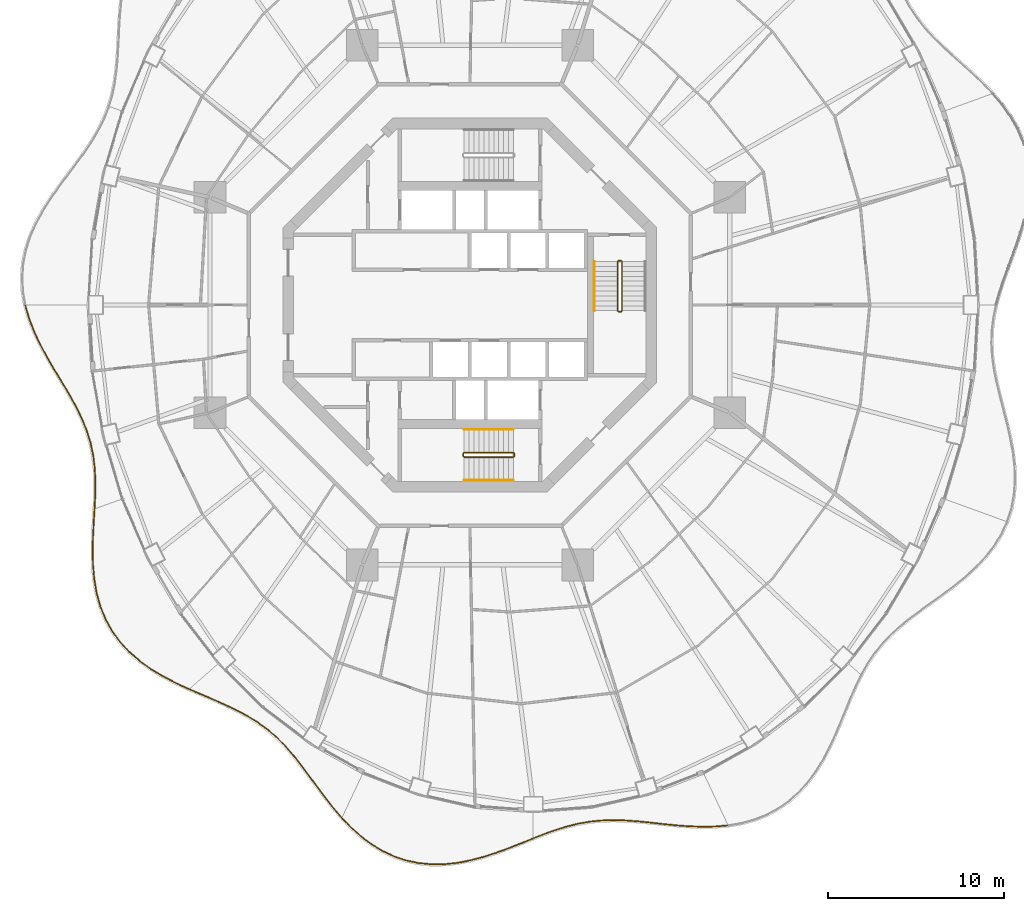
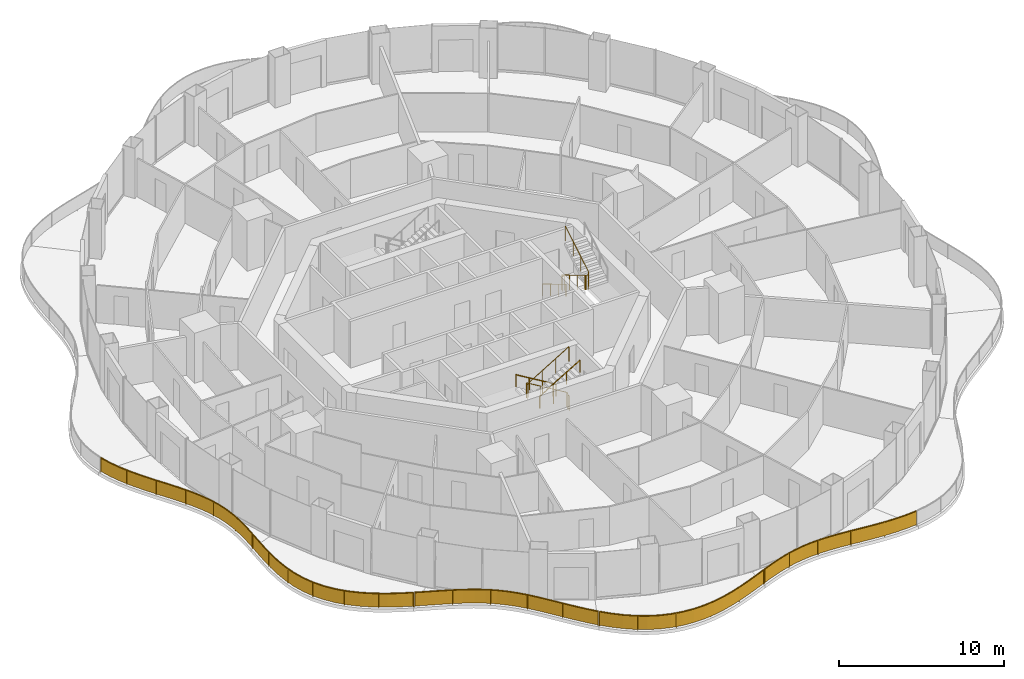
# One storey, part 17 of 19: 10 railings.
"""IFC4 building model written with IfcOpenShell, lengths in metres."""

from ifc_helpers import new_model, si_unit, direction, frame, origin, origin_2d, place, context, subcontext, project, spatial, polyline, rectangle, circle, outline, extrude, material, type_object, element, save


model = new_model("IFC4")

# Units and contexts
model_context = context("Model", 3, precision=1e-05, world=origin(), true_north=direction((0.0, 1.0)))
body_context = subcontext(model_context, "Body", "Model", "MODEL_VIEW")
ifc_project = project(units=[si_unit("LENGTHUNIT", "METRE"), si_unit("AREAUNIT", "SQUARE_METRE"), si_unit("VOLUMEUNIT", "CUBIC_METRE"), si_unit("PLANEANGLEUNIT", "RADIAN"), si_unit("MASSUNIT", "GRAM", prefix="KILO")], contexts=[model_context])

# Site, building, storey
site_placement = place(None, origin())
site = spatial("IfcSite", under=ifc_project, at=site_placement, CompositionType="ELEMENT")
building_placement = place(site_placement, origin())
building = spatial("IfcBuilding", under=site, at=building_placement, Name="Nagisa Residences", CompositionType="ELEMENT")
storey_placement = place(building_placement, frame((0.0, 0.0, 169.60009765625)))
storey = spatial("IfcBuildingStorey", under=building, at=storey_placement, Name="L42", CompositionType="ELEMENT", Elevation=169.60009765625)

# Railings
ifc_material_1 = material(Name="Stainless steel 316", Category="steel")
railing_type_1 = type_object("IfcRailingType", Name="BALCONY GUARD 1100", PredefinedType="BALUSTRADE", material=ifc_material_1)
railing_1_placement = place(storey_placement, frame((-25.27978515625, -0.037109375, 0.0)))
element("IfcRailing", 1, at=railing_1_placement, inside=storey, type_object=railing_type_1, Name="guard:L42:bal08-0", PredefinedType="BALUSTRADE", context=body_context, shape_type="SweptSolid", body=[
    extrude(outline(polyline([(0.234619140625, -0.725830078125), (0.024169921875, 0.0068359375), (-0.024169921875, -0.0068359375), (0.187255859375, -0.741943359375), (0.484619140625, -1.510009765625), (0.841552734375, -2.26220703125), (1.239990234375, -2.9970703125), (1.66064453125, -3.71533203125), (2.083251953125, -4.403564453125), (2.49169921875, -5.09326171875), (2.8681640625, -5.77490234375), (3.19873046875, -6.453857421875), (3.47314453125, -7.135986328125), (3.6826171875, -7.814208984375), (3.831298828125, -8.520751953125), (3.919677734375, -9.2470703125), (3.954345703125, -9.995849609375), (3.947021484375, -10.768798828125), (3.911865234375, -11.52099609375), (3.961669921875, -11.5234375), (3.996826171875, -10.770263671875), (4.004638671875, -9.994873046875), (3.969482421875, -9.24267578125), (3.880615234375, -8.512451171875), (3.73095703125, -7.801513671875), (3.5205078125, -7.119384765625), (3.24462890625, -6.433349609375), (2.91259765625, -5.751953125), (2.53515625, -5.068359375), (2.126220703125, -4.377685546875), (1.70361328125, -3.689453125), (1.283447265625, -2.97265625), (0.885986328125, -2.23974609375), (0.530517578125, -1.489990234375), (0.234619140625, -0.725830078125)])), frame((0.0, 0.0, 1.050048828125)), (0.0, 0.0, 1.0), 0.050048828125),
    extrude(outline(polyline([(0.217529296875, -0.731689453125), (0.0068359375, 0.001953125), (-0.0068359375, -0.001953125), (0.204345703125, -0.736083984375), (0.501220703125, -1.502685546875), (0.857421875, -2.254150390625), (1.255615234375, -2.98828125), (1.676025390625, -3.7060546875), (2.0986328125, -4.394287109375), (2.50732421875, -5.084228515625), (2.88427734375, -5.7666015625), (3.21533203125, -6.446533203125), (3.490234375, -7.130126953125), (3.699951171875, -7.8095703125), (3.84912109375, -8.517822265625), (3.9375, -9.245361328125), (3.972412109375, -9.99560546875), (3.96484375, -10.769287109375), (3.9296875, -11.52197265625), (3.94384765625, -11.5224609375), (3.97900390625, -10.769775390625), (3.986572265625, -9.9951171875), (3.95166015625, -9.244384765625), (3.86279296875, -8.515380859375), (3.713623046875, -7.80615234375), (3.50341796875, -7.125244140625), (3.22802734375, -6.440673828125), (2.896484375, -5.76025390625), (2.51953125, -5.077392578125), (2.11083984375, -4.386962890625), (1.688232421875, -3.69873046875), (1.267822265625, -2.9814453125), (0.8701171875, -2.247802734375), (0.513916015625, -1.497314453125), (0.217529296875, -0.731689453125)])), frame((0.0, 0.0, 0.06005859375)), (0.0, 0.0, 1.0), 0.989990234375),
    extrude(rectangle(XDim=0.0400390625, YDim=0.0400390625, at=origin_2d()), origin(), (0.0, 0.0, 1.0), 1.050048828125),
    extrude(rectangle(XDim=0.0400390625, YDim=0.0400390625, at=origin_2d()), frame((0.715087890625, -1.937255859375, 0.0)), (0.0, 0.0, 1.0), 1.050048828125),
    extrude(rectangle(XDim=0.0400390625, YDim=0.0400390625, at=origin_2d()), frame((1.711181640625, -3.749755859375, 0.0)), (0.0, 0.0, 1.0), 1.050048828125),
    extrude(rectangle(XDim=0.0400390625, YDim=0.0400390625, at=origin_2d()), frame((2.762451171875, -5.53173828125, 0.0)), (0.0, 0.0, 1.0), 1.050048828125),
    extrude(rectangle(XDim=0.0400390625, YDim=0.0400390625, at=origin_2d()), frame((3.58837890625, -7.42431640625, 0.0)), (0.0, 0.0, 1.0), 1.050048828125),
    extrude(rectangle(XDim=0.0400390625, YDim=0.0400390625, at=origin_2d()), frame((3.954345703125, -9.45458984375, 0.0)), (0.0, 0.0, 1.0), 1.050048828125),
    extrude(rectangle(XDim=0.0400390625, YDim=0.0400390625, at=origin_2d()), frame((3.936767578125, -11.522216796875, 0.0)), (0.0, 0.0, 1.0), 1.050048828125),
])
railing_2_placement = place(storey_placement, frame((-21.348876953125, -11.63427734375, 0.0)))
element("IfcRailing", 2, at=railing_2_placement, inside=storey, type_object=railing_type_1, Name="guard:L42:bal09-0", PredefinedType="BALUSTRADE", context=body_context, shape_type="SweptSolid", body=[
    extrude(outline(polyline([(-0.020263671875, -0.748291015625), (0.02490234375, -0.00146484375), (-0.02490234375, 0.00146484375), (-0.070068359375, -0.745361328125), (-0.1103515625, -1.550537109375), (-0.12841796875, -2.36328125), (-0.108154296875, -3.17626953125), (-0.03515625, -3.980224609375), (0.09619140625, -4.753173828125), (0.30859375, -5.511962890625), (0.601318359375, -6.234375), (0.976318359375, -6.913330078125), (1.4326171875, -7.54248046875), (1.956787109375, -8.107177734375), (2.554931640625, -8.627685546875), (3.210205078125, -9.09619140625), (3.908447265625, -9.51611328125), (4.635498046875, -9.894287109375), (5.336669921875, -10.2177734375), (5.357666015625, -10.17236328125), (4.657470703125, -9.849365234375), (3.932861328125, -9.47265625), (3.237548828125, -9.05419921875), (2.586181640625, -8.588134765625), (1.991455078125, -8.071044921875), (1.47119140625, -7.5107421875), (1.018798828125, -6.886474609375), (0.646728515625, -6.212890625), (0.35595703125, -5.495849609375), (0.14501953125, -4.742431640625), (0.0146484375, -3.973876953125), (-0.058349609375, -3.17333984375), (-0.078125, -2.36328125), (-0.060546875, -1.552490234375), (-0.020263671875, -0.748291015625)])), frame((0.0, 0.0, 1.050048828125)), (0.0, 0.0, 1.0), 0.050048828125),
    extrude(outline(polyline([(-0.0380859375, -0.747314453125), (0.007080078125, -0.00048828125), (-0.007080078125, 0.00048828125), (-0.05224609375, -0.746337890625), (-0.092529296875, -1.55126953125), (-0.1103515625, -2.36328125), (-0.09033203125, -3.17529296875), (-0.01708984375, -3.97802734375), (0.11376953125, -4.749267578125), (0.32568359375, -5.506103515625), (0.61767578125, -6.2265625), (0.99169921875, -6.903564453125), (1.446533203125, -7.531005859375), (1.96923828125, -8.09423828125), (2.566162109375, -8.613525390625), (3.219970703125, -9.0810546875), (3.917236328125, -9.50048828125), (4.643310546875, -9.878173828125), (5.34423828125, -10.201416015625), (5.35009765625, -10.188720703125), (4.649658203125, -9.865478515625), (3.924072265625, -9.48828125), (3.227783203125, -9.0693359375), (2.574951171875, -8.602294921875), (1.97900390625, -8.083984375), (1.457275390625, -7.522216796875), (1.00341796875, -6.896240234375), (0.63037109375, -6.220703125), (0.3388671875, -5.501708984375), (0.12744140625, -4.746337890625), (-0.00341796875, -3.97607421875), (-0.076171875, -3.17431640625), (-0.09619140625, -2.36328125), (-0.078369140625, -1.5517578125), (-0.0380859375, -0.747314453125)])), frame((0.0, 0.0, 0.06005859375)), (0.0, 0.0, 1.0), 0.989990234375),
    extrude(rectangle(XDim=0.0400390625, YDim=0.0400390625, at=origin_2d()), origin(), (0.0, 0.0, 1.0), 1.050048828125),
    extrude(rectangle(XDim=0.0400390625, YDim=0.0400390625, at=origin_2d()), frame((-0.09765625, -2.103759765625, 0.0)), (0.0, 0.0, 1.0), 1.050048828125),
    extrude(rectangle(XDim=0.0400390625, YDim=0.0400390625, at=origin_2d()), frame((0.028076171875, -4.203125, 0.0)), (0.0, 0.0, 1.0), 1.050048828125),
    extrude(rectangle(XDim=0.0400390625, YDim=0.0400390625, at=origin_2d()), frame((0.62109375, -6.21630859375, 0.0)), (0.0, 0.0, 1.0), 1.050048828125),
    extrude(rectangle(XDim=0.0400390625, YDim=0.0400390625, at=origin_2d()), frame((1.8271484375, -7.930908203125, 0.0)), (0.0, 0.0, 1.0), 1.050048828125),
    extrude(rectangle(XDim=0.0400390625, YDim=0.0400390625, at=origin_2d()), frame((3.47802734375, -9.22802734375, 0.0)), (0.0, 0.0, 1.0), 1.050048828125),
    extrude(rectangle(XDim=0.0400390625, YDim=0.0400390625, at=origin_2d()), frame((5.34716796875, -10.195068359375, 0.0)), (0.0, 0.0, 1.0), 1.050048828125),
])
railing_3_placement = place(storey_placement, frame((-15.931396484375, -21.859375, 0.0)))
element("IfcRailing", 3, at=railing_3_placement, inside=storey, type_object=railing_type_1, Name="guard:L42:bal10-0", PredefinedType="BALUSTRADE", context=body_context, shape_type="SweptSolid", body=[
    extrude(outline(polyline([(0.67578125, -0.2646484375), (0.010009765625, 0.02294921875), (-0.010009765625, -0.02294921875), (0.65576171875, -0.310546875), (1.3515625, -0.608642578125), (2.02685546875, -0.9072265625), (2.673583984375, -1.21728515625), (3.28759765625, -1.548583984375), (3.853271484375, -1.898681640625), (4.3955078125, -2.29541015625), (4.90478515625, -2.733154296875), (5.386474609375, -3.21337890625), (5.846923828125, -3.7353515625), (6.280517578125, -4.285888671875), (6.72412109375, -4.8759765625), (7.1728515625, -5.488037109375), (7.635986328125, -6.109375), (8.121337890625, -6.727783203125), (8.603515625, -7.293701171875), (8.6416015625, -7.261474609375), (8.159912109375, -6.696044921875), (7.675537109375, -6.0791015625), (7.212890625, -5.458251953125), (6.76416015625, -4.84619140625), (6.320068359375, -4.255126953125), (5.885498046875, -3.703125), (5.423095703125, -3.17919921875), (4.93896484375, -2.696533203125), (4.4267578125, -2.25634765625), (3.881103515625, -1.857177734375), (3.3125, -1.505126953125), (2.696533203125, -1.1728515625), (2.0478515625, -0.86181640625), (1.37158203125, -0.562744140625), (0.67578125, -0.2646484375)])), frame((0.0, 0.0, 1.050048828125)), (0.0, 0.0, 1.0), 0.050048828125),
    extrude(outline(polyline([(0.66845703125, -0.28125), (0.002685546875, 0.00634765625), (-0.002685546875, -0.00634765625), (0.6630859375, -0.2939453125), (1.35888671875, -0.592041015625), (2.034423828125, -0.890869140625), (2.681884765625, -1.201416015625), (3.296630859375, -1.532958984375), (3.86328125, -1.8837890625), (4.40673828125, -2.28125), (4.917236328125, -2.719970703125), (5.399658203125, -3.201171875), (5.86083984375, -3.7236328125), (6.294677734375, -4.274658203125), (6.738525390625, -4.865234375), (7.187255859375, -5.477294921875), (7.650146484375, -6.098388671875), (8.13525390625, -6.71630859375), (8.6171875, -7.2822265625), (8.6279296875, -7.27294921875), (8.14599609375, -6.70751953125), (7.661376953125, -6.090087890625), (7.198486328125, -5.468994140625), (6.749755859375, -4.85693359375), (6.305908203125, -4.266357421875), (5.87158203125, -3.71484375), (5.409912109375, -3.19140625), (4.926513671875, -2.709716796875), (4.41552734375, -2.2705078125), (3.87109375, -1.8720703125), (3.303466796875, -1.520751953125), (2.688232421875, -1.188720703125), (2.040283203125, -0.878173828125), (1.3642578125, -0.579345703125), (0.66845703125, -0.28125)])), frame((0.0, 0.0, 0.06005859375)), (0.0, 0.0, 1.0), 0.989990234375),
    extrude(rectangle(XDim=0.0400390625, YDim=0.0400390625, at=origin_2d()), origin(), (0.0, 0.0, 1.0), 1.050048828125),
    extrude(rectangle(XDim=0.0400390625, YDim=0.0400390625, at=origin_2d()), frame((2.11474609375, -0.921630859375, 0.0)), (0.0, 0.0, 1.0), 1.050048828125),
    extrude(rectangle(XDim=0.0400390625, YDim=0.0400390625, at=origin_2d()), frame((4.1162109375, -2.06005859375, 0.0)), (0.0, 0.0, 1.0), 1.050048828125),
    extrude(rectangle(XDim=0.0400390625, YDim=0.0400390625, at=origin_2d()), frame((5.79248046875, -3.6357421875, 0.0)), (0.0, 0.0, 1.0), 1.050048828125),
    extrude(rectangle(XDim=0.0400390625, YDim=0.0400390625, at=origin_2d()), frame((7.190673828125, -5.469970703125, 0.0)), (0.0, 0.0, 1.0), 1.050048828125),
    extrude(rectangle(XDim=0.0400390625, YDim=0.0400390625, at=origin_2d()), frame((8.62255859375, -7.277587890625, 0.0)), (0.0, 0.0, 1.0), 1.050048828125),
])
railing_4_placement = place(storey_placement, frame((-7.2578125, -29.19482421875, 0.0)))
element("IfcRailing", 4, at=railing_4_placement, inside=storey, type_object=railing_type_1, Name="guard:L42:bal11-0", PredefinedType="BALUSTRADE", context=body_context, shape_type="SweptSolid", body=[
    extrude(outline(polyline([(0.51123046875, -0.497314453125), (0.01806640625, 0.017333984375), (-0.01806640625, -0.017333984375), (0.4765625, -0.533447265625), (1.04052734375, -1.03857421875), (1.64111328125, -1.489013671875), (2.277099609375, -1.87451171875), (2.945556640625, -2.1865234375), (3.626220703125, -2.4150390625), (4.34716796875, -2.56640625), (5.0849609375, -2.636962890625), (5.833251953125, -2.628662109375), (6.585205078125, -2.54833984375), (7.3173828125, -2.402099609375), (8.05810546875, -2.205810546875), (8.78662109375, -1.969970703125), (9.5, -1.7080078125), (10.196533203125, -1.43359375), (10.832763671875, -1.17578125), (10.814208984375, -1.12939453125), (10.177978515625, -1.38720703125), (9.482421875, -1.6611328125), (8.7705078125, -1.922607421875), (8.0439453125, -2.157958984375), (7.30615234375, -2.353271484375), (6.577392578125, -2.4990234375), (5.830322265625, -2.578857421875), (5.0869140625, -2.586669921875), (4.3544921875, -2.51708984375), (3.639404296875, -2.36669921875), (2.964111328125, -2.14013671875), (2.300537109375, -1.830078125), (1.6689453125, -1.447509765625), (1.072265625, -1.0), (0.51123046875, -0.497314453125)])), frame((0.0, 0.0, 1.050048828125)), (0.0, 0.0, 1.0), 0.050048828125),
    extrude(outline(polyline([(0.498779296875, -0.51025390625), (0.005126953125, 0.0048828125), (-0.005126953125, -0.0048828125), (0.489013671875, -0.5205078125), (1.052001953125, -1.024658203125), (1.651123046875, -1.47412109375), (2.285400390625, -1.8583984375), (2.9521484375, -2.169921875), (3.630859375, -2.397705078125), (4.349853515625, -2.548583984375), (5.085693359375, -2.618896484375), (5.832275390625, -2.61083984375), (6.582275390625, -2.530517578125), (7.313232421875, -2.384521484375), (8.052978515625, -2.188720703125), (8.78076171875, -1.952880859375), (9.49365234375, -1.691162109375), (10.18994140625, -1.4169921875), (10.826171875, -1.1591796875), (10.82080078125, -1.14599609375), (10.1845703125, -1.40380859375), (9.48876953125, -1.677978515625), (8.7763671875, -1.939697265625), (8.049072265625, -2.175048828125), (7.310302734375, -2.370849609375), (6.580322265625, -2.516845703125), (5.831298828125, -2.5966796875), (5.086181640625, -2.604736328125), (4.351806640625, -2.534912109375), (3.634765625, -2.384033203125), (2.95751953125, -2.15673828125), (2.292236328125, -1.84619140625), (1.658935546875, -1.46240234375), (1.060791015625, -1.013916015625), (0.498779296875, -0.51025390625)])), frame((0.0, 0.0, 0.06005859375)), (0.0, 0.0, 1.0), 0.989990234375),
    extrude(rectangle(XDim=0.0400390625, YDim=0.0400390625, at=origin_2d()), origin(), (0.0, 0.0, 1.0), 1.050048828125),
    extrude(rectangle(XDim=0.0400390625, YDim=0.0400390625, at=origin_2d()), frame((1.785400390625, -1.547119140625, 0.0)), (0.0, 0.0, 1.0), 1.050048828125),
    extrude(rectangle(XDim=0.0400390625, YDim=0.0400390625, at=origin_2d()), frame((3.95654296875, -2.458984375, 0.0)), (0.0, 0.0, 1.0), 1.050048828125),
    extrude(rectangle(XDim=0.0400390625, YDim=0.0400390625, at=origin_2d()), frame((6.3115234375, -2.552490234375, 0.0)), (0.0, 0.0, 1.0), 1.050048828125),
    extrude(rectangle(XDim=0.0400390625, YDim=0.0400390625, at=origin_2d()), frame((8.611083984375, -2.00048828125, 0.0)), (0.0, 0.0, 1.0), 1.050048828125),
    extrude(rectangle(XDim=0.0400390625, YDim=0.0400390625, at=origin_2d()), frame((10.823486328125, -1.152587890625, 0.0)), (0.0, 0.0, 1.0), 1.050048828125),
])
railing_5_placement = place(storey_placement, frame((3.634521484375, -30.318115234375, 0.0)))
element("IfcRailing", 5, at=railing_5_placement, inside=storey, type_object=railing_type_1, Name="guard:L42:bal12-0", PredefinedType="BALUSTRADE", context=body_context, shape_type="SweptSolid", body=[
    extrude(outline(polyline([(0.6123046875, 0.266845703125), (-0.009033203125, 0.023193359375), (0.009033203125, -0.023193359375), (0.6298828125, 0.219970703125), (1.281494140625, 0.452392578125), (1.9248046875, 0.6494140625), (2.564453125, 0.8056640625), (3.205322265625, 0.916259765625), (3.835205078125, 0.978759765625), (4.493896484375, 1.0), (5.167724609375, 0.983154296875), (5.859375, 0.935546875), (6.569580078125, 0.866943359375), (7.28125, 0.783935546875), (8.025634765625, 0.70947265625), (8.78173828125, 0.651611328125), (9.544677734375, 0.622802734375), (10.307373046875, 0.63623046875), (11.01513671875, 0.695068359375), (11.0107421875, 0.744873046875), (10.304931640625, 0.68603515625), (9.545166015625, 0.673095703125), (8.78466796875, 0.701416015625), (8.030029296875, 0.75927734375), (7.28662109375, 0.833740234375), (6.574951171875, 0.916748046875), (5.86328125, 0.9853515625), (5.170166015625, 1.032958984375), (4.493896484375, 1.05029296875), (3.831787109375, 1.028564453125), (3.198486328125, 0.966064453125), (2.55419921875, 0.8544921875), (1.91162109375, 0.69775390625), (1.265869140625, 0.499755859375), (0.6123046875, 0.266845703125)])), frame((0.0, 0.0, 1.050048828125)), (0.0, 0.0, 1.0), 0.050048828125),
    extrude(outline(polyline([(0.61865234375, 0.25), (-0.00244140625, 0.006591796875), (0.00244140625, -0.006591796875), (0.62353515625, 0.23681640625), (1.27587890625, 0.469482421875), (1.920166015625, 0.666748046875), (2.560791015625, 0.8232421875), (3.202880859375, 0.934326171875), (3.833984375, 0.99658203125), (4.493896484375, 1.01806640625), (5.168701171875, 1.0009765625), (5.86083984375, 0.953369140625), (6.571533203125, 0.884765625), (7.283203125, 0.8017578125), (8.027099609375, 0.727294921875), (8.78271484375, 0.66943359375), (9.544921875, 0.640869140625), (10.306396484375, 0.654052734375), (11.013427734375, 0.712890625), (11.012451171875, 0.72705078125), (10.305908203125, 0.668212890625), (9.544921875, 0.655029296875), (8.78369140625, 0.68359375), (8.028564453125, 0.741455078125), (7.28466796875, 0.81591796875), (6.572998046875, 0.89892578125), (5.86181640625, 0.967529296875), (5.169189453125, 1.01513671875), (4.493896484375, 1.0322265625), (3.8330078125, 1.0107421875), (3.200927734375, 0.947998046875), (2.557861328125, 0.8369140625), (1.916259765625, 0.680419921875), (1.271484375, 0.482666015625), (0.61865234375, 0.25)])), frame((0.0, 0.0, 0.06005859375)), (0.0, 0.0, 1.0), 0.989990234375),
    extrude(rectangle(XDim=0.0400390625, YDim=0.0400390625, at=origin_2d()), origin(), (0.0, 0.0, 1.0), 1.050048828125),
    extrude(rectangle(XDim=0.0400390625, YDim=0.0400390625, at=origin_2d()), frame((2.1142578125, 0.721435546875, 0.0)), (0.0, 0.0, 1.0), 1.050048828125),
    extrude(rectangle(XDim=0.0400390625, YDim=0.0400390625, at=origin_2d()), frame((4.32421875, 1.01953125, 0.0)), (0.0, 0.0, 1.0), 1.050048828125),
    extrude(rectangle(XDim=0.0400390625, YDim=0.0400390625, at=origin_2d()), frame((6.554931640625, 0.8935546875, 0.0)), (0.0, 0.0, 1.0), 1.050048828125),
    extrude(rectangle(XDim=0.0400390625, YDim=0.0400390625, at=origin_2d()), frame((8.780029296875, 0.6767578125, 0.0)), (0.0, 0.0, 1.0), 1.050048828125),
    extrude(rectangle(XDim=0.0400390625, YDim=0.0400390625, at=origin_2d()), frame((11.012939453125, 0.719970703125, 0.0)), (0.0, 0.0, 1.0), 1.050048828125),
])
ifc_material_2 = material(Name="Stainless steel", Category="steel")
railing_type_2 = type_object("IfcRailingType", Name="Stair guard 1100", PredefinedType="GUARDRAIL", material=ifc_material_2)
railing_6_placement = place(storey_placement, frame((8.599609375, 2.52490234375, 0.0)))
element("IfcRailing", 6, at=railing_6_placement, inside=storey, type_object=railing_type_2, Name="L42 ST-E stair guard 1", PredefinedType="GUARDRAIL", context=body_context, shape_type="SweptSolid", body=[
    extrude(circle(Radius=0.02392578125, at=origin_2d()), frame((0.0, 0.0, 1.076171875), z_axis=(-1.0, 0.0, 0.0), x_axis=(0.0, -1.0, 0.0)), (0.0, 0.0, 1.0), 0.14990234375),
    extrude(circle(Radius=0.02392578125, at=origin_2d()), frame((-0.14990234375, 0.0, 1.076171875), z_axis=(-0.274683208305, -0.273343290215, 0.921863645432), x_axis=(0.705375805398, -0.708833529934, 0.0)), (0.0, 0.0, 1.0), 0.18212890625),
    extrude(circle(Radius=0.02392578125, at=origin_2d()), frame((-0.199951171875, -0.0498046875, 1.244140625), z_axis=(0.0, -0.857242210791, 0.514913383045), x_axis=(1.0, 0.0, 0.0)), (0.0, 0.0, 1.0), 3.266357421875),
    extrude(circle(Radius=0.02392578125, at=origin_2d()), frame((-0.199951171875, -2.849853515625, 2.92578125), z_axis=(0.707106781187, -0.707106781187, 0.0), x_axis=(0.707106781187, 0.707106781187, 0.0)), (0.0, 0.0, 1.0), 0.07080078125),
    extrude(circle(Radius=0.02392578125, at=origin_2d()), frame((-0.14990234375, -2.89990234375, 2.92578125), z_axis=(1.0, 0.0, 0.0), x_axis=(0.0, 1.0, 0.0)), (0.0, 0.0, 1.0), 0.14990234375),
    extrude(circle(Radius=0.02392578125, at=origin_2d()), frame((0.0, -2.89990234375, 2.92578125), z_axis=(0.274243871929, 0.274243871929, 0.92172696468), x_axis=(-0.707106781187, 0.707106781187, 0.0)), (0.0, 0.0, 1.0), 0.1826171875),
    extrude(circle(Radius=0.02392578125, at=origin_2d()), frame((0.050048828125, -2.849853515625, 3.09423828125), z_axis=(0.0, 0.857242210791, 0.514913383045), x_axis=(-1.0, 0.0, 0.0)), (0.0, 0.0, 1.0), 3.266357421875),
    extrude(circle(Radius=0.02099609375, at=origin_2d()), origin(), (0.0, 0.0, 1.0), 1.052001953125),
    extrude(circle(Radius=0.02099609375, at=origin_2d()), frame((-0.14990234375, 0.0, 0.0)), (0.0, 0.0, 1.0), 1.052001953125),
    extrude(circle(Radius=0.02099609375, at=origin_2d()), frame((-0.199951171875, -0.0498046875, 0.16796875)), (0.0, 0.0, 1.0), 1.052001953125),
    extrude(circle(Radius=0.02099609375, at=origin_2d()), frame((-0.199951171875, -0.983154296875, 0.728515625)), (0.0, 0.0, 1.0), 1.052001953125),
    extrude(circle(Radius=0.02099609375, at=origin_2d()), frame((-0.199951171875, -1.91650390625, 1.289306640625)), (0.0, 0.0, 1.0), 1.052001953125),
    extrude(circle(Radius=0.02099609375, at=origin_2d()), frame((-0.199951171875, -2.849853515625, 1.849853515625)), (0.0, 0.0, 1.0), 1.052001953125),
    extrude(circle(Radius=0.02099609375, at=origin_2d()), frame((-0.14990234375, -2.89990234375, 1.849853515625)), (0.0, 0.0, 1.0), 1.052001953125),
    extrude(circle(Radius=0.02099609375, at=origin_2d()), frame((0.0, -2.89990234375, 1.849853515625)), (0.0, 0.0, 1.0), 1.052001953125),
    extrude(circle(Radius=0.02099609375, at=origin_2d()), frame((0.050048828125, -2.849853515625, 2.01806640625)), (0.0, 0.0, 1.0), 1.052001953125),
    extrude(circle(Radius=0.02099609375, at=origin_2d()), frame((0.050048828125, -1.91650390625, 2.57861328125)), (0.0, 0.0, 1.0), 1.052001953125),
    extrude(circle(Radius=0.02099609375, at=origin_2d()), frame((0.050048828125, -0.983154296875, 3.139404296875)), (0.0, 0.0, 1.0), 1.052001953125),
    extrude(circle(Radius=0.02099609375, at=origin_2d()), frame((0.050048828125, -0.0498046875, 3.699951171875)), (0.0, 0.0, 1.0), 1.052001953125),
])
railing_7_placement = place(storey_placement, frame((2.52490234375, -8.599609375, 0.0)))
element("IfcRailing", 7, at=railing_7_placement, inside=storey, type_object=railing_type_2, Name="L42 ST-S stair guard 1", PredefinedType="GUARDRAIL", context=body_context, shape_type="SweptSolid", body=[
    extrude(circle(Radius=0.02392578125, at=origin_2d()), frame((0.0, 0.0, 1.076171875), z_axis=(0.0, 1.0, 0.0), x_axis=(-1.0, 0.0, 0.0)), (0.0, 0.0, 1.0), 0.14990234375),
    extrude(circle(Radius=0.02392578125, at=origin_2d()), frame((0.0, 0.14990234375, 1.076171875), z_axis=(-0.273343290215, 0.274683208305, 0.921863645432), x_axis=(-0.708833529934, -0.705375805398, 0.0)), (0.0, 0.0, 1.0), 0.18212890625),
    extrude(circle(Radius=0.02392578125, at=origin_2d()), frame((-0.0498046875, 0.199951171875, 1.244140625), z_axis=(-0.857242210791, 0.0, 0.514913383045), x_axis=(0.0, -1.0, 0.0)), (0.0, 0.0, 1.0), 3.266357421875),
    extrude(circle(Radius=0.02392578125, at=origin_2d()), frame((-2.849853515625, 0.199951171875, 2.92578125), z_axis=(-0.707106781187, -0.707106781187, 0.0), x_axis=(0.707106781187, -0.707106781187, 0.0)), (0.0, 0.0, 1.0), 0.07080078125),
    extrude(circle(Radius=0.02392578125, at=origin_2d()), frame((-2.89990234375, 0.14990234375, 2.92578125), z_axis=(0.0, -1.0, 0.0), x_axis=(1.0, 0.0, 0.0)), (0.0, 0.0, 1.0), 0.14990234375),
    extrude(circle(Radius=0.02392578125, at=origin_2d()), frame((-2.89990234375, 0.0, 2.92578125), z_axis=(0.274243871929, -0.274243871929, 0.92172696468), x_axis=(0.707106781187, 0.707106781187, 0.0)), (0.0, 0.0, 1.0), 0.1826171875),
    extrude(circle(Radius=0.02392578125, at=origin_2d()), frame((-2.849853515625, -0.050048828125, 3.09423828125), z_axis=(0.857242210791, 0.0, 0.514913383045), x_axis=(0.0, 1.0, 0.0)), (0.0, 0.0, 1.0), 3.266357421875),
    extrude(circle(Radius=0.02099609375, at=origin_2d()), origin(), (0.0, 0.0, 1.0), 1.052001953125),
    extrude(circle(Radius=0.02099609375, at=origin_2d()), frame((0.0, 0.14990234375, 0.0)), (0.0, 0.0, 1.0), 1.052001953125),
    extrude(circle(Radius=0.02099609375, at=origin_2d()), frame((-0.0498046875, 0.199951171875, 0.16796875)), (0.0, 0.0, 1.0), 1.052001953125),
    extrude(circle(Radius=0.02099609375, at=origin_2d()), frame((-0.983154296875, 0.199951171875, 0.728515625)), (0.0, 0.0, 1.0), 1.052001953125),
    extrude(circle(Radius=0.02099609375, at=origin_2d()), frame((-1.91650390625, 0.199951171875, 1.289306640625)), (0.0, 0.0, 1.0), 1.052001953125),
    extrude(circle(Radius=0.02099609375, at=origin_2d()), frame((-2.849853515625, 0.199951171875, 1.849853515625)), (0.0, 0.0, 1.0), 1.052001953125),
    extrude(circle(Radius=0.02099609375, at=origin_2d()), frame((-2.89990234375, 0.14990234375, 1.849853515625)), (0.0, 0.0, 1.0), 1.052001953125),
    extrude(circle(Radius=0.02099609375, at=origin_2d()), frame((-2.89990234375, 0.0, 1.849853515625)), (0.0, 0.0, 1.0), 1.052001953125),
    extrude(circle(Radius=0.02099609375, at=origin_2d()), frame((-2.849853515625, -0.050048828125, 2.01806640625)), (0.0, 0.0, 1.0), 1.052001953125),
    extrude(circle(Radius=0.02099609375, at=origin_2d()), frame((-1.91650390625, -0.050048828125, 2.57861328125)), (0.0, 0.0, 1.0), 1.052001953125),
    extrude(circle(Radius=0.02099609375, at=origin_2d()), frame((-0.983154296875, -0.050048828125, 3.139404296875)), (0.0, 0.0, 1.0), 1.052001953125),
    extrude(circle(Radius=0.02099609375, at=origin_2d()), frame((-0.0498046875, -0.050048828125, 3.699951171875)), (0.0, 0.0, 1.0), 1.052001953125),
])
ifc_material_3 = material(Name="Stainless steel", Category="steel")
railing_type_3 = type_object("IfcRailingType", Name="Stair handrail 900", PredefinedType="HANDRAIL", material=ifc_material_3)
railing_8_placement = place(storey_placement, frame((7.07470703125, 2.47509765625, 0.16796875)))
element("IfcRailing", 8, at=railing_8_placement, inside=storey, type_object=railing_type_3, Name="L42 ST-E stair handrail 1", PredefinedType="HANDRAIL", context=body_context, shape_type="SweptSolid", body=[
    extrude(circle(Radius=0.02392578125, at=origin_2d()), frame((0.0, 0.0, 0.8759765625), z_axis=(0.0, -0.857242210791, 0.514913383045), x_axis=(1.0, 0.0, 0.0)), (0.0, 0.0, 1.0), 3.266357421875),
    extrude(circle(Radius=0.02099609375, at=origin_2d()), origin(), (0.0, 0.0, 1.0), 0.851806640625),
    extrude(circle(Radius=0.02099609375, at=origin_2d()), frame((0.0, -0.933349609375, 0.560546875)), (0.0, 0.0, 1.0), 0.851806640625),
    extrude(circle(Radius=0.02099609375, at=origin_2d()), frame((0.0, -1.86669921875, 1.121337890625)), (0.0, 0.0, 1.0), 0.851806640625),
    extrude(circle(Radius=0.02099609375, at=origin_2d()), frame((0.0, -2.800048828125, 1.681884765625)), (0.0, 0.0, 1.0), 0.851806640625),
])
railing_9_placement = place(storey_placement, frame((2.47509765625, -7.07470703125, 0.16796875)))
element("IfcRailing", 9, at=railing_9_placement, inside=storey, type_object=railing_type_3, Name="L42 ST-S stair handrail 1", PredefinedType="HANDRAIL", context=body_context, shape_type="SweptSolid", body=[
    extrude(circle(Radius=0.02392578125, at=origin_2d()), frame((0.0, 0.0, 0.8759765625), z_axis=(-0.857242210791, 0.0, 0.514913383045), x_axis=(0.0, -1.0, 0.0)), (0.0, 0.0, 1.0), 3.266357421875),
    extrude(circle(Radius=0.02099609375, at=origin_2d()), origin(), (0.0, 0.0, 1.0), 0.851806640625),
    extrude(circle(Radius=0.02099609375, at=origin_2d()), frame((-0.933349609375, 0.0, 0.560546875)), (0.0, 0.0, 1.0), 0.851806640625),
    extrude(circle(Radius=0.02099609375, at=origin_2d()), frame((-1.86669921875, 0.0, 1.121337890625)), (0.0, 0.0, 1.0), 0.851806640625),
    extrude(circle(Radius=0.02099609375, at=origin_2d()), frame((-2.800048828125, 0.0, 1.681884765625)), (0.0, 0.0, 1.0), 0.851806640625),
])
railing_10_placement = place(storey_placement, frame((-0.324951171875, -9.974609375, 2.01806640625)))
element("IfcRailing", 10, at=railing_10_placement, inside=storey, type_object=railing_type_3, Name="L42 ST-S stair handrail 2", PredefinedType="HANDRAIL", context=body_context, shape_type="SweptSolid", body=[
    extrude(circle(Radius=0.02392578125, at=origin_2d()), frame((0.0, 0.0, 0.8759765625), z_axis=(0.857242210791, 0.0, 0.514913383045), x_axis=(0.0, 1.0, 0.0)), (0.0, 0.0, 1.0), 3.266357421875),
    extrude(circle(Radius=0.02099609375, at=origin_2d()), origin(), (0.0, 0.0, 1.0), 0.851806640625),
    extrude(circle(Radius=0.02099609375, at=origin_2d()), frame((0.933349609375, 0.0, 0.560546875)), (0.0, 0.0, 1.0), 0.851806640625),
    extrude(circle(Radius=0.02099609375, at=origin_2d()), frame((1.86669921875, 0.0, 1.121337890625)), (0.0, 0.0, 1.0), 0.851806640625),
    extrude(circle(Radius=0.02099609375, at=origin_2d()), frame((2.800048828125, 0.0, 1.681884765625)), (0.0, 0.0, 1.0), 0.851806640625),
])

save(model, "model.ifc")
